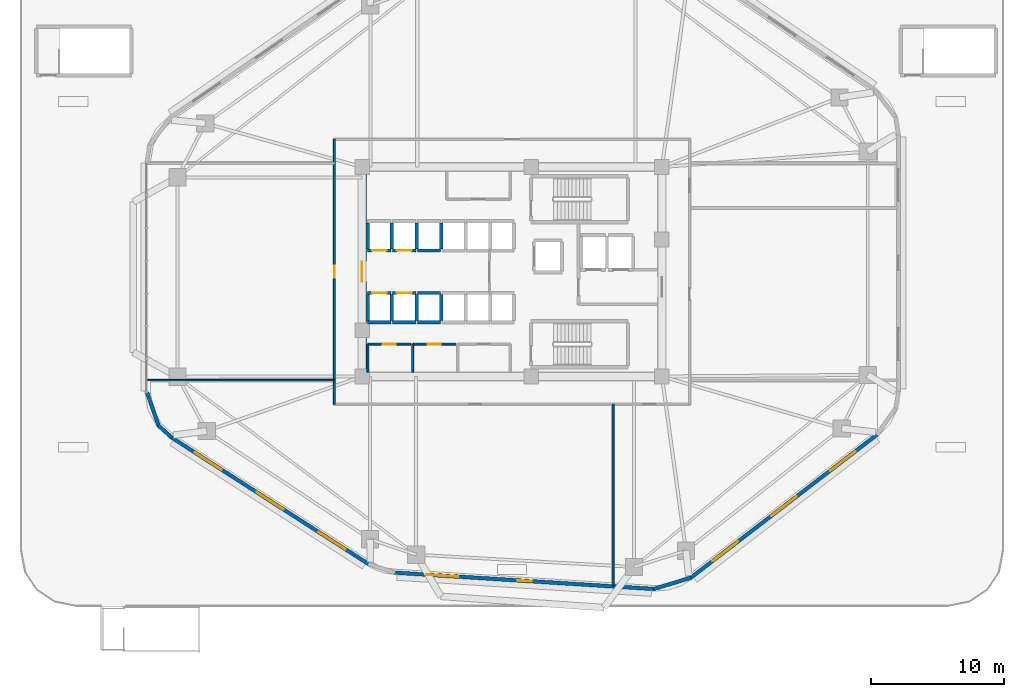
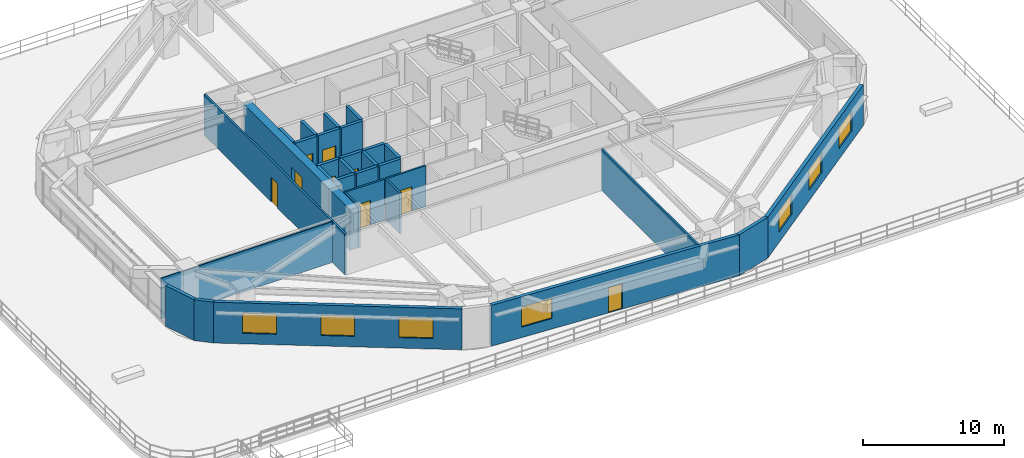
# One storey, part 14 of 20: 31 walls, 9 doors, 7 windows, 16 openings.
"""IFC4 building model written with IfcOpenShell, lengths in metres."""

import ifcopenshell
import ifcopenshell.guid

model = None  # the IFC model being written
_history = None  # IfcOwnerHistory: only IFC2X3 demands one
_inside = {}  # id of a spatial element -> (the spatial element, [elements in it])
_under = {}  # id of a project, library or spatial element -> (it, [spatial elements below it])
_declared = {}  # id of a project -> (the project, [libraries it declares])
_typed = {}  # id of a type object -> (the type object, [elements of that type])
_made_of = {}  # id of a material, layer set ... -> (it, [elements and type objects made of it])


def new_model(schema):
    """Start an empty IFC model of exactly this schema.

    Asked for "IFC4X3", IfcOpenShell would pick the latest addendum, in which some entities
    have other attributes; the version numbers below select the first issue.
    IFC2X3 requires an IfcOwnerHistory on every rooted entity: one is made here for all.
    """
    global model, _history
    if schema == "IFC4X3":
        model = ifcopenshell.file(schema_version=(4, 3, 0, 0))
    else:
        model = ifcopenshell.file(schema=schema)
    _inside.clear()
    _under.clear()
    _declared.clear()
    _typed.clear()
    _made_of.clear()
    _history = None
    if model.schema == "IFC2X3":
        org = make("IfcOrganization", Name="unknown")
        user = make(
            "IfcPersonAndOrganization",
            ThePerson=make("IfcPerson", FamilyName="unknown"),
            TheOrganization=org,
        )
        app = make(
            "IfcApplication",
            ApplicationDeveloper=org,
            Version="unknown",
            ApplicationFullName="unknown",
            ApplicationIdentifier="unknown",
        )
        _history = make(
            "IfcOwnerHistory",
            OwningUser=user,
            OwningApplication=app,
            ChangeAction="ADDED",
            CreationDate=0,
        )
    return model


def make(cls, **values):
    """One entity of the class cls with the attributes given. An attribute that is None is left unset."""
    return model.create_entity(
        cls, **{name: value for name, value in values.items() if value is not None}
    )


def rooted(cls, **values):
    """An entity with a GlobalId (a new one), such as an element, a storey or a relation."""
    return make(cls, GlobalId=ifcopenshell.guid.new(), OwnerHistory=_history, **values)


def si_unit(unit_type, name, prefix=None):
    """IfcSIUnit, for example si_unit("LENGTHUNIT", "METRE", prefix="MILLI")."""
    return make("IfcSIUnit", UnitType=unit_type, Prefix=prefix, Name=name)


def assignment(units):
    """IfcUnitAssignment: the units of a project."""
    return None if units is None else make("IfcUnitAssignment", Units=units)


def point(xyz):
    """IfcCartesianPoint."""
    return None if xyz is None else make("IfcCartesianPoint", Coordinates=xyz)


def direction(xyz):
    """IfcDirection."""
    return None if xyz is None else make("IfcDirection", DirectionRatios=xyz)


def frame(location, z_axis=None, x_axis=None):
    """IfcAxis2Placement3D, a coordinate frame: its origin and axes. An axis left out is left unset."""
    return make(
        "IfcAxis2Placement3D",
        Location=point(location),
        Axis=direction(z_axis),
        RefDirection=direction(x_axis),
    )


def frame_2d(location, x_axis=None):
    """IfcAxis2Placement2D, a coordinate frame in the plane: its origin and x axis."""
    return make(
        "IfcAxis2Placement2D", Location=point(location), RefDirection=direction(x_axis)
    )


def origin():
    """The frame at (0, 0, 0) with its axes left unset."""
    return frame((0.0, 0.0, 0.0))


def place(relative_to, where):
    """IfcLocalPlacement: puts the frame where relative to a parent placement (None: the world)."""
    return make(
        "IfcLocalPlacement", PlacementRelTo=relative_to, RelativePlacement=where
    )


def context(
    kind, dimensions, precision=None, world=None, true_north=None, identifier=None
):
    """IfcGeometricRepresentationContext, for example the 3D "Model" context."""
    return make(
        "IfcGeometricRepresentationContext",
        ContextIdentifier=identifier,
        ContextType=kind,
        CoordinateSpaceDimension=dimensions,
        Precision=precision,
        WorldCoordinateSystem=world,
        TrueNorth=true_north,
    )


def subcontext(parent, identifier, kind, view, scale=None):
    """IfcGeometricRepresentationSubContext, for example "Body" below "Model"."""
    return make(
        "IfcGeometricRepresentationSubContext",
        ContextIdentifier=identifier,
        ContextType=kind,
        ParentContext=parent,
        TargetScale=scale,
        TargetView=view,
    )


def project(units=None, contexts=None):
    """IfcProject with its units and contexts."""
    return rooted(
        "IfcProject",
        Name="project",
        RepresentationContexts=contexts,
        UnitsInContext=assignment(units),
    )


def spatial(cls, under=None, at=None, **own):
    """A site, building, storey or space (cls), placed at a placement, below another one or the project."""
    s = rooted(cls, ObjectPlacement=at, **own)
    if under is not None:
        _under.setdefault(under.id(), (under, []))[1].append(s)
    return s


def profile(cls, at=None, kind="AREA", **sizes):
    """A parametric profile (cls). Its sizes go by their IFC names, for example OverallWidth=200.0."""
    return make(cls, ProfileType=kind, Position=at, **sizes)


def rectangle(**sizes):
    """IfcRectangleProfileDef."""
    return profile("IfcRectangleProfileDef", **sizes)


def extrude(swept, where, along, depth):
    """IfcExtrudedAreaSolid: the profile swept, set in the frame where, extruded along a direction by depth."""
    return make(
        "IfcExtrudedAreaSolid",
        SweptArea=swept,
        Position=where,
        ExtrudedDirection=direction(along),
        Depth=depth,
    )


def shape(context_of_items, identifier, shape_type, items):
    """IfcShapeRepresentation: the items that make up one representation, for example the "Body"."""
    return make(
        "IfcShapeRepresentation",
        ContextOfItems=context_of_items,
        RepresentationIdentifier=identifier,
        RepresentationType=shape_type,
        Items=items,
    )


def material(Name=None, Category=None):
    """IfcMaterial."""
    return make("IfcMaterial", Name=Name, Category=Category)


def layer(
    of_material, thickness, ventilated=None, Name=None, Category=None, Priority=None
):
    """IfcMaterialLayer: one layer of a wall or slab, of a material (None: an air gap)."""
    return make(
        "IfcMaterialLayer",
        Material=of_material,
        LayerThickness=thickness,
        IsVentilated=ventilated,
        Name=Name,
        Category=Category,
        Priority=Priority,
    )


def layer_set(layers, Name=None):
    """IfcMaterialLayerSet."""
    return make("IfcMaterialLayerSet", MaterialLayers=layers, LayerSetName=Name)


def made_of(thing, what):
    """Note that an element or type object is made of a material, layer set ...; save() writes the relation."""
    if what is not None:
        _made_of.setdefault(what.id(), (what, []))[1].append(thing)
    return thing


def type_object(cls, material=None, **own):
    """A type object (cls), such as IfcWallType, which elements share."""
    return made_of(rooted(cls, **own), material)


def element(
    cls,
    number,
    at=None,
    inside=None,
    cuts=None,
    type_object=None,
    material=None,
    context=None,
    identifier="Body",
    shape_type=None,
    held_by="IfcProductDefinitionShape",
    body=None,
    shapes=None,
    **own,
):
    """One element of the class cls, such as IfcWall. Its Tag is "e" and its number.

    at: its placement. inside: the storey or other place that contains it. cuts: it is an
    opening in that element (IfcRelVoidsElement). A single representation is given by context,
    identifier, shape_type and body (its items); several are given by shapes. held_by: the class
    of the entity that holds the representations. save() writes the other relations.
    """
    e = rooted(cls, Tag="e%d" % number, ObjectPlacement=at, **own)
    if body is not None:
        shapes = [shape(context, identifier, shape_type, body)]
    if shapes is not None:
        e.Representation = make(held_by, Representations=shapes)
    if inside is not None:
        _inside.setdefault(inside.id(), (inside, []))[1].append(e)
    if cuts is not None:
        rooted(
            "IfcRelVoidsElement", RelatingBuildingElement=cuts, RelatedOpeningElement=e
        )
    if type_object is not None:
        _typed.setdefault(type_object.id(), (type_object, []))[1].append(e)
    return made_of(e, material)


def fill(opening, filler):
    """IfcRelFillsElement: the door or window that sits in an opening."""
    return rooted(
        "IfcRelFillsElement",
        RelatingOpeningElement=opening,
        RelatedBuildingElement=filler,
    )


def aggregate(whole, parts):
    """IfcRelAggregates: a whole, such as a stair, and the parts it consists of."""
    return rooted("IfcRelAggregates", RelatingObject=whole, RelatedObjects=parts)


def save(model, path):
    """Write the relations noted so far, then the file.

    IfcRelAggregates (storeys below a building ...), IfcRelContainedInSpatialStructure (elements
    in a storey), IfcRelDefinesByType, IfcRelAssociatesMaterial and IfcRelDeclares: one each for
    every whole, place, type object, material and project.
    """
    for whole, parts in _under.values():
        aggregate(whole, parts)
    for where, things in _inside.values():
        rooted(
            "IfcRelContainedInSpatialStructure",
            RelatedElements=things,
            RelatingStructure=where,
        )
    for kind, things in _typed.values():
        rooted("IfcRelDefinesByType", RelatedObjects=things, RelatingType=kind)
    for what, things in _made_of.values():
        rooted("IfcRelAssociatesMaterial", RelatedObjects=things, RelatingMaterial=what)
    for by, libraries in _declared.values():
        rooted("IfcRelDeclares", RelatingContext=by, RelatedDefinitions=libraries)
    model.write(path)


model = new_model("IFC4")

# Units and contexts
model_context = context("Model", 3, precision=1e-05, world=origin(), true_north=direction((0.0, 1.0)))
body_context = subcontext(model_context, "Body", "Model", "MODEL_VIEW")
ifc_project = project(units=[si_unit("LENGTHUNIT", "METRE"), si_unit("AREAUNIT", "SQUARE_METRE"), si_unit("VOLUMEUNIT", "CUBIC_METRE"), si_unit("PLANEANGLEUNIT", "RADIAN"), si_unit("MASSUNIT", "GRAM", prefix="KILO")], contexts=[model_context])

# Site, building, storey
site_placement = place(None, origin())
site = spatial("IfcSite", under=ifc_project, at=site_placement, CompositionType="ELEMENT")
building_placement = place(site_placement, origin())
building = spatial("IfcBuilding", under=site, at=building_placement, Name="Zulverin Broadcast Headquarters", CompositionType="ELEMENT")
storey_placement = place(building_placement, frame((0.0, 0.0, 25.0)))
storey = spatial("IfcBuildingStorey", under=building, at=storey_placement, Name="L05", CompositionType="ELEMENT", Elevation=25.0)

# Wall, opening, door
ifc_material_1 = material(Name="Concrete C60/75", Category="concrete")
ifc_layer_1 = layer(ifc_material_1, 0.64990234375, Name="Concrete C60/75", Category="concrete")
ifc_layer_set_1 = layer_set([ifc_layer_1], Name="Concrete C60/75")
wall_type_1 = type_object("IfcWallType", Name="WL-CORE-650", PredefinedType="SHEAR", material=ifc_layer_set_1)
wall_1_placement = place(storey_placement, frame((25.72509765625, 17.64990234375, 0.0), z_axis=(0.0, 0.0, 1.0), x_axis=(0.0, 1.0, 0.0)))
wall_1 = element("IfcWall", 1, at=wall_1_placement, inside=storey, type_object=wall_type_1, Name="L05 Core West Shear Wall", PredefinedType="SHEAR", context=body_context, shape_type="SweptSolid", body=[
    extrude(rectangle(XDim=15.10009765625, YDim=0.64990234375, at=frame_2d((7.550048828125, 0.0))), origin(), (0.0, 0.0, 1.0), 3.52490234375),
])
opening_1_placement = place(wall_1_placement, frame((6.800048828125, 0.0, 0.0)))
opening_1 = element("IfcOpeningElement", 2, at=opening_1_placement, cuts=wall_1, Name="Opening D-L05-CW1", PredefinedType="OPENING", context=body_context, shape_type="SweptSolid", body=[
    extrude(rectangle(XDim=1.5, YDim=2.14990234375, at=frame_2d((0.75, 1.074951171875))), frame((0.0, 0.3349609375, 0.0), z_axis=(0.0, -1.0, 0.0), x_axis=(1.0, 0.0, 0.0)), (0.0, 0.0, 1.0), 0.669921875),
])
ifc_material_2 = material(Name="Fire-rated glazed steel frame", Category="steel")
door_type_1 = type_object("IfcDoorType", Name="DR-COR-1500", OperationType="DOUBLE_DOOR_SINGLE_SWING", PredefinedType="DOOR", material=ifc_material_2)
door_1_placement = place(opening_1_placement, origin())
door_1 = element("IfcDoor", 3, at=door_1_placement, inside=storey, type_object=door_type_1, Name="L05 Central Lift Lobby West Portal Door", OperationType="DOUBLE_DOOR_SINGLE_SWING", OverallHeight=2.14990234375, OverallWidth=1.5, PredefinedType="DOOR", context=body_context, shape_type="SweptSolid", body=[
    extrude(rectangle(XDim=1.5, YDim=2.14990234375, at=frame_2d((0.75, 1.074951171875))), frame((0.0, 0.02490234375, 0.0), z_axis=(0.0, -1.0, 0.0), x_axis=(1.0, 0.0, 0.0)), (0.0, 0.0, 1.0), 0.050048828125),
])
fill(opening_1, door_1)

# Wall, openings, door, window
ifc_material_3 = material(Name="Insulated pale-metal clad concrete spandrel C40/50", Category="concrete")
ifc_layer_2 = layer(ifc_material_3, 0.280029296875, Name="Insulated pale-metal clad concrete spandrel C40/50", Category="concrete")
ifc_layer_set_2 = layer_set([ifc_layer_2], Name="Insulated pale-metal clad concrete spandrel C40/50")
wall_type_2 = type_object("IfcWallType", Name="WL-EXT-280", PredefinedType="STANDARD", material=ifc_layer_set_2)
wall_2_placement = place(storey_placement, frame((28.161376953125, 2.571044921875, 0.0), z_axis=(0.0, 0.0, 1.0), x_axis=(0.998017288298, -0.06294038654, 0.0)))
wall_2 = element("IfcWall", 4, at=wall_2_placement, inside=storey, type_object=wall_type_2, Name="L05 Pale-Metal Clad Spandrel Wall 1", PredefinedType="STANDARD", context=body_context, shape_type="SweptSolid", body=[
    extrude(rectangle(XDim=19.576904296875, YDim=0.280029296875, at=frame_2d((9.78857421875, 0.0))), origin(), (0.0, 0.0, 1.0), 3.52490234375),
])
opening_2_placement = place(wall_2_placement, frame((9.23828125, 0.0, 0.0)))
opening_2 = element("IfcOpeningElement", 5, at=opening_2_placement, cuts=wall_2, Name="Opening D-L05-TR1", PredefinedType="OPENING", context=body_context, shape_type="SweptSolid", body=[
    extrude(rectangle(XDim=1.10009765625, YDim=2.199951171875, at=frame_2d((0.550048828125, 1.10009765625))), frame((0.0, 0.14990234375, 0.0), z_axis=(0.0, -1.0, 0.0), x_axis=(1.0, 0.0, 0.0)), (0.0, 0.0, 1.0), 0.300048828125),
])
opening_3_placement = place(wall_2_placement, frame((2.396240234375, 0.0, 0.89990234375)))
opening_3 = element("IfcOpeningElement", 6, at=opening_3_placement, cuts=wall_2, Name="Opening W-L05-E11", PredefinedType="OPENING", context=body_context, shape_type="SweptSolid", body=[
    extrude(rectangle(XDim=2.39990234375, YDim=1.75, at=frame_2d((1.199951171875, 0.875))), frame((0.0, 0.14990234375, 0.0), z_axis=(0.0, -1.0, 0.0), x_axis=(1.0, 0.0, 0.0)), (0.0, 0.0, 1.0), 0.300048828125),
])
ifc_material_4 = material(Name="Thermally broken aluminium glazed", Category="aluminium")
door_type_2 = type_object("IfcDoorType", Name="DR-TERR-1100", OperationType="SINGLE_SWING_RIGHT", PredefinedType="DOOR", material=ifc_material_4)
door_2_placement = place(opening_2_placement, origin())
door_2 = element("IfcDoor", 7, at=door_2_placement, inside=storey, type_object=door_type_2, Name="L05 Planted Terrace Glazed Access Door 1", OperationType="SINGLE_SWING_RIGHT", OverallHeight=2.199951171875, OverallWidth=1.10009765625, PredefinedType="DOOR", context=body_context, shape_type="SweptSolid", body=[
    extrude(rectangle(XDim=1.10009765625, YDim=2.199951171875, at=frame_2d((0.550048828125, 1.10009765625))), frame((0.0, 0.02490234375, 0.0), z_axis=(0.0, -1.0, 0.0), x_axis=(1.0, 0.0, 0.0)), (0.0, 0.0, 1.0), 0.050048828125),
])
fill(opening_2, door_2)
ifc_material_5 = material(Name="Pale anodized aluminium frame with solar-control low-E double glazing", Category="aluminium")
window_type = type_object("IfcWindowType", Name="WIN-RIB-2400", PartitioningType="SINGLE_PANEL", PredefinedType="WINDOW", material=ifc_material_5)
window_1_placement = place(opening_3_placement, origin())
window_1 = element("IfcWindow", 8, at=window_1_placement, inside=storey, type_object=window_type, Name="L05 Ribbon Glazing Window 1 1", OverallHeight=1.75, OverallWidth=2.39990234375, PartitioningType="SINGLE_PANEL", PredefinedType="WINDOW", context=body_context, shape_type="SweptSolid", body=[
    extrude(rectangle(XDim=2.39990234375, YDim=1.75, at=frame_2d((1.199951171875, 0.875))), frame((0.0, 0.030029296875, 0.0), z_axis=(0.0, -1.0, 0.0), x_axis=(1.0, 0.0, 0.0)), (0.0, 0.0, 1.0), 0.06005859375),
])
fill(opening_3, window_1)

# Wall, openings, windows
wall_3_placement = place(storey_placement, frame((50.4287109375, 2.171630859375, 0.0), z_axis=(0.0, 0.0, 1.0), x_axis=(0.792937466367, 0.609303023488, 0.0)))
wall_3 = element("IfcWall", 9, at=wall_3_placement, inside=storey, type_object=wall_type_2, Name="L05 Pale-Metal Clad Spandrel Wall 2", PredefinedType="STANDARD", context=body_context, shape_type="SweptSolid", body=[
    extrude(rectangle(XDim=17.712890625, YDim=0.280029296875, at=frame_2d((8.8564453125, 0.0))), origin(), (0.0, 0.0, 1.0), 3.52490234375),
])
opening_4_placement = place(wall_3_placement, frame((2.08544921875, 0.0, 0.89990234375)))
opening_4 = element("IfcOpeningElement", 10, at=opening_4_placement, cuts=wall_3, Name="Opening W-L05-E21", PredefinedType="OPENING", context=body_context, shape_type="SweptSolid", body=[
    extrude(rectangle(XDim=2.39990234375, YDim=1.75, at=frame_2d((1.199951171875, 0.875))), frame((0.0, 0.14990234375, 0.0), z_axis=(0.0, -1.0, 0.0), x_axis=(1.0, 0.0, 0.0)), (0.0, 0.0, 1.0), 0.300048828125),
])
opening_5_placement = place(wall_3_placement, frame((7.656494140625, 0.0, 0.89990234375)))
opening_5 = element("IfcOpeningElement", 11, at=opening_5_placement, cuts=wall_3, Name="Opening W-L05-E22", PredefinedType="OPENING", context=body_context, shape_type="SweptSolid", body=[
    extrude(rectangle(XDim=2.39990234375, YDim=1.75, at=frame_2d((1.199951171875, 0.875))), frame((0.0, 0.14990234375, 0.0), z_axis=(0.0, -1.0, 0.0), x_axis=(1.0, 0.0, 0.0)), (0.0, 0.0, 1.0), 0.300048828125),
])
opening_6_placement = place(wall_3_placement, frame((13.227294921875, 0.0, 0.89990234375)))
opening_6 = element("IfcOpeningElement", 12, at=opening_6_placement, cuts=wall_3, Name="Opening W-L05-E23", PredefinedType="OPENING", context=body_context, shape_type="SweptSolid", body=[
    extrude(rectangle(XDim=2.39990234375, YDim=1.75, at=frame_2d((1.199951171875, 0.875))), frame((0.0, 0.14990234375, 0.0), z_axis=(0.0, -1.0, 0.0), x_axis=(1.0, 0.0, 0.0)), (0.0, 0.0, 1.0), 0.300048828125),
])
window_2_placement = place(opening_4_placement, origin())
window_2 = element("IfcWindow", 13, at=window_2_placement, inside=storey, type_object=window_type, Name="L05 Ribbon Glazing Window 2 1", OverallHeight=1.75, OverallWidth=2.39990234375, PartitioningType="SINGLE_PANEL", PredefinedType="WINDOW", context=body_context, shape_type="SweptSolid", body=[
    extrude(rectangle(XDim=2.39990234375, YDim=1.75, at=frame_2d((1.199951171875, 0.875))), frame((0.0, 0.030029296875, 0.0), z_axis=(0.0, -1.0, 0.0), x_axis=(1.0, 0.0, 0.0)), (0.0, 0.0, 1.0), 0.06005859375),
])
fill(opening_4, window_2)
window_3_placement = place(opening_5_placement, origin())
window_3 = element("IfcWindow", 14, at=window_3_placement, inside=storey, type_object=window_type, Name="L05 Ribbon Glazing Window 2 2", OverallHeight=1.75, OverallWidth=2.39990234375, PartitioningType="SINGLE_PANEL", PredefinedType="WINDOW", context=body_context, shape_type="SweptSolid", body=[
    extrude(rectangle(XDim=2.39990234375, YDim=1.75, at=frame_2d((1.199951171875, 0.875))), frame((0.0, 0.030029296875, 0.0), z_axis=(0.0, -1.0, 0.0), x_axis=(1.0, 0.0, 0.0)), (0.0, 0.0, 1.0), 0.06005859375),
])
fill(opening_5, window_3)
window_4_placement = place(opening_6_placement, origin())
window_4 = element("IfcWindow", 15, at=window_4_placement, inside=storey, type_object=window_type, Name="L05 Ribbon Glazing Window 2 3", OverallHeight=1.75, OverallWidth=2.39990234375, PartitioningType="SINGLE_PANEL", PredefinedType="WINDOW", context=body_context, shape_type="SweptSolid", body=[
    extrude(rectangle(XDim=2.39990234375, YDim=1.75, at=frame_2d((1.199951171875, 0.875))), frame((0.0, 0.030029296875, 0.0), z_axis=(0.0, -1.0, 0.0), x_axis=(1.0, 0.0, 0.0)), (0.0, 0.0, 1.0), 0.06005859375),
])
fill(opening_6, window_4)

wall_4_placement = place(storey_placement, frame((11.4052734375, 12.727783203125, 0.0), z_axis=(0.0, 0.0, 1.0), x_axis=(0.841304564637, -0.540561402175, 0.0)))
wall_4 = element("IfcWall", 16, at=wall_4_placement, inside=storey, type_object=wall_type_2, Name="L05 Pale-Metal Clad Spandrel Wall 8", PredefinedType="STANDARD", context=body_context, shape_type="SweptSolid", body=[
    extrude(rectangle(XDim=17.61181640625, YDim=0.280029296875, at=frame_2d((8.805908203125, 0.0))), origin(), (0.0, 0.0, 1.0), 3.52490234375),
])
opening_7_placement = place(wall_4_placement, frame((2.068603515625, 0.0, 0.89990234375)))
opening_7 = element("IfcOpeningElement", 17, at=opening_7_placement, cuts=wall_4, Name="Opening W-L05-E81", PredefinedType="OPENING", context=body_context, shape_type="SweptSolid", body=[
    extrude(rectangle(XDim=2.39990234375, YDim=1.75, at=frame_2d((1.199951171875, 0.875))), frame((0.0, 0.14990234375, 0.0), z_axis=(0.0, -1.0, 0.0), x_axis=(1.0, 0.0, 0.0)), (0.0, 0.0, 1.0), 0.300048828125),
])
opening_8_placement = place(wall_4_placement, frame((7.60595703125, 0.0, 0.89990234375)))
opening_8 = element("IfcOpeningElement", 18, at=opening_8_placement, cuts=wall_4, Name="Opening W-L05-E82", PredefinedType="OPENING", context=body_context, shape_type="SweptSolid", body=[
    extrude(rectangle(XDim=2.39990234375, YDim=1.75, at=frame_2d((1.199951171875, 0.875))), frame((0.0, 0.14990234375, 0.0), z_axis=(0.0, -1.0, 0.0), x_axis=(1.0, 0.0, 0.0)), (0.0, 0.0, 1.0), 0.300048828125),
])
opening_9_placement = place(wall_4_placement, frame((13.143310546875, 0.0, 0.89990234375)))
opening_9 = element("IfcOpeningElement", 19, at=opening_9_placement, cuts=wall_4, Name="Opening W-L05-E83", PredefinedType="OPENING", context=body_context, shape_type="SweptSolid", body=[
    extrude(rectangle(XDim=2.39990234375, YDim=1.75, at=frame_2d((1.199951171875, 0.875))), frame((0.0, 0.14990234375, 0.0), z_axis=(0.0, -1.0, 0.0), x_axis=(1.0, 0.0, 0.0)), (0.0, 0.0, 1.0), 0.300048828125),
])
window_5_placement = place(opening_7_placement, origin())
window_5 = element("IfcWindow", 20, at=window_5_placement, inside=storey, type_object=window_type, Name="L05 Ribbon Glazing Window 8 1", OverallHeight=1.75, OverallWidth=2.39990234375, PartitioningType="SINGLE_PANEL", PredefinedType="WINDOW", context=body_context, shape_type="SweptSolid", body=[
    extrude(rectangle(XDim=2.39990234375, YDim=1.75, at=frame_2d((1.199951171875, 0.875))), frame((0.0, 0.030029296875, 0.0), z_axis=(0.0, -1.0, 0.0), x_axis=(1.0, 0.0, 0.0)), (0.0, 0.0, 1.0), 0.06005859375),
])
fill(opening_7, window_5)
window_6_placement = place(opening_8_placement, origin())
window_6 = element("IfcWindow", 21, at=window_6_placement, inside=storey, type_object=window_type, Name="L05 Ribbon Glazing Window 8 2", OverallHeight=1.75, OverallWidth=2.39990234375, PartitioningType="SINGLE_PANEL", PredefinedType="WINDOW", context=body_context, shape_type="SweptSolid", body=[
    extrude(rectangle(XDim=2.39990234375, YDim=1.75, at=frame_2d((1.199951171875, 0.875))), frame((0.0, 0.030029296875, 0.0), z_axis=(0.0, -1.0, 0.0), x_axis=(1.0, 0.0, 0.0)), (0.0, 0.0, 1.0), 0.06005859375),
])
fill(opening_8, window_6)
window_7_placement = place(opening_9_placement, origin())
window_7 = element("IfcWindow", 22, at=window_7_placement, inside=storey, type_object=window_type, Name="L05 Ribbon Glazing Window 8 3", OverallHeight=1.75, OverallWidth=2.39990234375, PartitioningType="SINGLE_PANEL", PredefinedType="WINDOW", context=body_context, shape_type="SweptSolid", body=[
    extrude(rectangle(XDim=2.39990234375, YDim=1.75, at=frame_2d((1.199951171875, 0.875))), frame((0.0, 0.030029296875, 0.0), z_axis=(0.0, -1.0, 0.0), x_axis=(1.0, 0.0, 0.0)), (0.0, 0.0, 1.0), 0.06005859375),
])
fill(opening_9, window_7)

# Walls
wall_5_placement = place(storey_placement, frame((47.649658203125, 1.3330078125, 0.0), z_axis=(0.0, 0.0, 1.0), x_axis=(0.956461287977, 0.291859220516, 0.0)))
element("IfcWall", 23, at=wall_5_placement, inside=storey, type_object=wall_type_2, Name="L05 Wind-Shaped Corner Spandrel Wall 1-1", PredefinedType="STANDARD", context=body_context, shape_type="SweptSolid", body=[
    extrude(rectangle(XDim=2.951904296875, YDim=0.280029296875, at=frame_2d((1.47607421875, 0.0))), origin(), (0.0, 0.0, 1.0), 3.52490234375),
])
wall_6_placement = place(storey_placement, frame((9.5537109375, 16.1279296875, 0.0), z_axis=(0.0, 0.0, 1.0), x_axis=(0.327019907236, -0.945017449718, 0.0)))
element("IfcWall", 24, at=wall_6_placement, inside=storey, type_object=wall_type_2, Name="L05 Wind-Shaped Corner Spandrel Wall 7-1", PredefinedType="STANDARD", context=body_context, shape_type="SweptSolid", body=[
    extrude(rectangle(XDim=2.682373046875, YDim=0.280029296875, at=frame_2d((1.34130859375, 0.0))), origin(), (0.0, 0.0, 1.0), 3.52490234375),
])
wall_7_placement = place(storey_placement, frame((10.392822265625, 13.650634765625, 0.0), z_axis=(0.0, 0.0, 1.0), x_axis=(0.74003521851, -0.672568119498, 0.0)))
element("IfcWall", 25, at=wall_7_placement, inside=storey, type_object=wall_type_2, Name="L05 Wind-Shaped Corner Spandrel Wall 7-2", PredefinedType="STANDARD", context=body_context, shape_type="SweptSolid", body=[
    extrude(rectangle(XDim=1.39306640625, YDim=0.280029296875, at=frame_2d((0.696533203125, 0.0))), origin(), (0.0, 0.0, 1.0), 3.52490234375),
])
ifc_material_6 = material(Name="Fire-rated acoustic laminated glass screen", Category="glass")
ifc_layer_3 = layer(ifc_material_6, 0.10009765625, Name="Fire-rated acoustic laminated glass screen", Category="glass")
ifc_layer_set_3 = layer_set([ifc_layer_3], Name="Fire-rated acoustic laminated glass screen")
wall_type_3 = type_object("IfcWallType", Name="WL-GLAZ-100", PredefinedType="PARTITIONING", material=ifc_layer_set_3)
wall_8_placement = place(storey_placement, frame((9.60498046875, 17.050048828125, 0.0), z_axis=(0.0, 0.0, 1.0), x_axis=(1.0, 0.0, 0.0)))
element("IfcWall", 26, at=wall_8_placement, inside=storey, type_object=wall_type_3, Name="L05 Room Partition Wall RP-05", PredefinedType="PARTITIONING", context=body_context, shape_type="SweptSolid", body=[
    extrude(rectangle(XDim=14.044921875, YDim=0.10009765625, at=frame_2d((7.0224609375, 0.0))), origin(), (0.0, 0.0, 1.0), 3.52490234375),
])

# Wall, opening, door
ifc_material_7 = material(Name="Fire-rated gypsum stud partition", Category="gypsum")
ifc_layer_4 = layer(ifc_material_7, 0.14990234375, Name="Fire-rated gypsum stud partition", Category="gypsum")
ifc_layer_set_4 = layer_set([ifc_layer_4], Name="Fire-rated gypsum stud partition")
wall_type_4 = type_object("IfcWallType", Name="WL-PART-150", PredefinedType="PARTITIONING", material=ifc_layer_set_4)
wall_9_placement = place(storey_placement, frame((26.169921875, 19.75, 0.0), z_axis=(0.0, 0.0, 1.0), x_axis=(1.0, 0.0, 0.0)))
wall_9 = element("IfcWall", 27, at=wall_9_placement, inside=storey, type_object=wall_type_4, Name="L05 Core Male WC Front Wall", PredefinedType="PARTITIONING", context=body_context, shape_type="SweptSolid", body=[
    extrude(rectangle(XDim=3.2001953125, YDim=0.14990234375, at=frame_2d((1.60009765625, 0.0))), origin(), (0.0, 0.0, 1.0), 3.52490234375),
])
opening_10_placement = place(wall_9_placement, frame((1.125, 0.0, 0.0)))
opening_10 = element("IfcOpeningElement", 28, at=opening_10_placement, cuts=wall_9, Name="Opening D-L05-SC1", PredefinedType="OPENING", context=body_context, shape_type="SweptSolid", body=[
    extrude(rectangle(XDim=0.949951171875, YDim=2.10009765625, at=frame_2d((0.47509765625, 1.050048828125))), frame((0.0, 0.0849609375, 0.0), z_axis=(0.0, -1.0, 0.0), x_axis=(1.0, 0.0, 0.0)), (0.0, 0.0, 1.0), 0.169921875),
])
ifc_material_8 = material(Name="Fire-rated moisture-resistant laminate leaf", Category="wood")
door_type_3 = type_object("IfcDoorType", Name="DR-WC-950", OperationType="SINGLE_SWING_LEFT", PredefinedType="DOOR", material=ifc_material_8)
door_3_placement = place(opening_10_placement, origin())
door_3 = element("IfcDoor", 29, at=door_3_placement, inside=storey, type_object=door_type_3, Name="L05 Male WC Door", OperationType="SINGLE_SWING_RIGHT", OverallHeight=2.10009765625, OverallWidth=0.949951171875, PredefinedType="DOOR", context=body_context, shape_type="SweptSolid", body=[
    extrude(rectangle(XDim=0.949951171875, YDim=2.10009765625, at=frame_2d((0.47509765625, 1.050048828125))), frame((0.0, 0.02490234375, 0.0), z_axis=(0.0, -1.0, 0.0), x_axis=(1.0, 0.0, 0.0)), (0.0, 0.0, 1.0), 0.050048828125),
])
fill(opening_10, door_3)

# Wall
wall_10_placement = place(storey_placement, frame((26.169921875, 17.64990234375, 0.0), z_axis=(0.0, 0.0, 1.0), x_axis=(0.0, 1.0, 0.0)))
element("IfcWall", 30, at=wall_10_placement, inside=storey, type_object=wall_type_4, Name="L05 Core Male WC West Wall", PredefinedType="PARTITIONING", context=body_context, shape_type="SweptSolid", body=[
    extrude(rectangle(XDim=2.10009765625, YDim=0.14990234375, at=frame_2d((1.050048828125, 0.0))), origin(), (0.0, 0.0, 1.0), 3.52490234375),
])

# Wall, opening, door
wall_11_placement = place(storey_placement, frame((29.530029296875, 19.75, 0.0), z_axis=(0.0, 0.0, 1.0), x_axis=(1.0, 0.0, 0.0)))
wall_11 = element("IfcWall", 31, at=wall_11_placement, inside=storey, type_object=wall_type_4, Name="L05 Core Female WC Front Wall", PredefinedType="PARTITIONING", context=body_context, shape_type="SweptSolid", body=[
    extrude(rectangle(XDim=3.239990234375, YDim=0.14990234375, at=frame_2d((1.6201171875, 0.0))), origin(), (0.0, 0.0, 1.0), 3.52490234375),
])
opening_11_placement = place(wall_11_placement, frame((1.14501953125, 0.0, 0.0)))
opening_11 = element("IfcOpeningElement", 32, at=opening_11_placement, cuts=wall_11, Name="Opening D-L05-SC2", PredefinedType="OPENING", context=body_context, shape_type="SweptSolid", body=[
    extrude(rectangle(XDim=0.949951171875, YDim=2.10009765625, at=frame_2d((0.47509765625, 1.050048828125))), frame((0.0, 0.0849609375, 0.0), z_axis=(0.0, -1.0, 0.0), x_axis=(1.0, 0.0, 0.0)), (0.0, 0.0, 1.0), 0.169921875),
])
door_4_placement = place(opening_11_placement, origin())
door_4 = element("IfcDoor", 33, at=door_4_placement, inside=storey, type_object=door_type_3, Name="L05 Female WC Door", OperationType="SINGLE_SWING_LEFT", OverallHeight=2.10009765625, OverallWidth=0.949951171875, PredefinedType="DOOR", context=body_context, shape_type="SweptSolid", body=[
    extrude(rectangle(XDim=0.949951171875, YDim=2.10009765625, at=frame_2d((0.47509765625, 1.050048828125))), frame((0.0, 0.02490234375, 0.0), z_axis=(0.0, -1.0, 0.0), x_axis=(1.0, 0.0, 0.0)), (0.0, 0.0, 1.0), 0.050048828125),
])
fill(opening_11, door_4)

# Walls
wall_12_placement = place(storey_placement, frame((29.530029296875, 17.64990234375, 0.0), z_axis=(0.0, 0.0, 1.0), x_axis=(0.0, 1.0, 0.0)))
element("IfcWall", 34, at=wall_12_placement, inside=storey, type_object=wall_type_4, Name="L05 Core Female WC West Wall", PredefinedType="PARTITIONING", context=body_context, shape_type="SweptSolid", body=[
    extrude(rectangle(XDim=2.10009765625, YDim=0.14990234375, at=frame_2d((1.050048828125, 0.0))), origin(), (0.0, 0.0, 1.0), 3.52490234375),
])
wall_13_placement = place(storey_placement, frame((44.60009765625, 1.59912109375, 0.0), z_axis=(0.0, 0.0, 1.0), x_axis=(0.0, 1.0, 0.0)))
element("IfcWall", 35, at=wall_13_placement, inside=storey, type_object=wall_type_4, Name="L05 Room Partition Wall RP-02", PredefinedType="PARTITIONING", context=body_context, shape_type="SweptSolid", body=[
    extrude(rectangle(XDim=13.65087890625, YDim=0.14990234375, at=frame_2d((6.825439453125, 0.0))), origin(), (0.0, 0.0, 1.0), 3.52490234375),
])

# Wall, opening, door
wall_14_placement = place(storey_placement, frame((23.64990234375, 15.25, 0.0), z_axis=(0.0, 0.0, 1.0), x_axis=(0.0, 1.0, 0.0)))
wall_14 = element("IfcWall", 36, at=wall_14_placement, inside=storey, type_object=wall_type_4, Name="L05 Gallery Partition Wall CG-03", PredefinedType="PARTITIONING", context=body_context, shape_type="SweptSolid", body=[
    extrude(rectangle(XDim=19.89990234375, YDim=0.14990234375, at=frame_2d((9.949951171875, 0.0))), origin(), (0.0, 0.0, 1.0), 3.52490234375),
])
opening_12_placement = place(wall_14_placement, frame((9.5, 0.0, 0.0)))
opening_12 = element("IfcOpeningElement", 37, at=opening_12_placement, cuts=wall_14, Name="Opening D-L05-04", PredefinedType="OPENING", context=body_context, shape_type="SweptSolid", body=[
    extrude(rectangle(XDim=0.89990234375, YDim=2.10009765625, at=frame_2d((0.449951171875, 1.050048828125))), frame((0.0, 0.0849609375, 0.0), z_axis=(0.0, -1.0, 0.0), x_axis=(1.0, 0.0, 0.0)), (0.0, 0.0, 1.0), 0.169921875),
])
ifc_material_9 = material(Name="Fire-rated hardwood veneer timber leaf", Category="wood")
door_type_4 = type_object("IfcDoorType", Name="DR-ROOM-900", OperationType="SINGLE_SWING_RIGHT", PredefinedType="DOOR", material=ifc_material_9)
door_5_placement = place(opening_12_placement, origin())
door_5 = element("IfcDoor", 38, at=door_5_placement, inside=storey, type_object=door_type_4, Name="L05 Media Library Gallery Door", OperationType="SINGLE_SWING_LEFT", OverallHeight=2.10009765625, OverallWidth=0.89990234375, PredefinedType="DOOR", context=body_context, shape_type="SweptSolid", body=[
    extrude(rectangle(XDim=0.89990234375, YDim=2.10009765625, at=frame_2d((0.449951171875, 1.050048828125))), frame((0.0, 0.02490234375, 0.0), z_axis=(0.0, -1.0, 0.0), x_axis=(1.0, 0.0, 0.0)), (0.0, 0.0, 1.0), 0.050048828125),
])
fill(opening_12, door_5)

ifc_material_10 = material(Name="Concrete C50/60", Category="concrete")
ifc_layer_5 = layer(ifc_material_10, 0.25, Name="Concrete C50/60", Category="concrete")
ifc_layer_set_5 = layer_set([ifc_layer_5], Name="Concrete C50/60")
wall_type_5 = type_object("IfcWallType", Name="WL-SHAFT-250", PredefinedType="SHEAR", material=ifc_layer_set_5)
wall_15_placement = place(storey_placement, frame((26.14990234375, 26.800048828125, 0.0), z_axis=(0.0, 0.0, 1.0), x_axis=(1.0, 0.0, 0.0)))
wall_15 = element("IfcWall", 39, at=wall_15_placement, inside=storey, type_object=wall_type_5, Name="L05 Lift PL-L1 Shaft Wall S", PredefinedType="SHEAR", context=body_context, shape_type="SweptSolid", body=[
    extrude(rectangle(XDim=1.75, YDim=0.25, at=frame_2d((0.875, 0.0))), origin(), (0.0, 0.0, 1.0), 3.52490234375),
])
opening_13_placement = place(wall_15_placement, frame((0.324951171875, 0.0, 0.0)))
opening_13 = element("IfcOpeningElement", 40, at=opening_13_placement, cuts=wall_15, Name="Opening LD-PL-L1-L05", PredefinedType="OPENING", context=body_context, shape_type="SweptSolid", body=[
    extrude(rectangle(XDim=1.10009765625, YDim=2.14990234375, at=frame_2d((0.550048828125, 1.074951171875))), frame((0.0, 0.135009765625, 0.0), z_axis=(0.0, -1.0, 0.0), x_axis=(1.0, 0.0, 0.0)), (0.0, 0.0, 1.0), 0.27001953125),
])
ifc_material_11 = material(Name="Brushed stainless steel landing", Category="steel")
door_type_5 = type_object("IfcDoorType", Name="LD-PASS-1100", OperationType="DOUBLE_DOOR_SLIDING", PredefinedType="DOOR", material=ifc_material_11)
door_6_placement = place(opening_13_placement, origin())
door_6 = element("IfcDoor", 41, at=door_6_placement, inside=storey, type_object=door_type_5, Name="L05 Lift PL-L1 Sliding Landing Door", OperationType="DOUBLE_DOOR_SLIDING", OverallHeight=2.14990234375, OverallWidth=1.10009765625, PredefinedType="DOOR", context=body_context, shape_type="SweptSolid", body=[
    extrude(rectangle(XDim=1.10009765625, YDim=2.14990234375, at=frame_2d((0.550048828125, 1.074951171875))), frame((0.0, 0.02490234375, 0.0), z_axis=(0.0, -1.0, 0.0), x_axis=(1.0, 0.0, 0.0)), (0.0, 0.0, 1.0), 0.050048828125),
])
fill(opening_13, door_6)

# Walls
for number, where, z_axis, x_axis, name in (
    (42, (26.14990234375, 26.919921875, 0.0), (0.0, 0.0, 1.0), (0.0, 1.0, 0.0), "L05 Lift PL-L1 Shaft Wall W"),
    (43, (27.9599609375, 26.919921875, 0.0), (0.0, 0.0, 1.0), (0.0, 1.0, 0.0), "L05 Lift PL-L1 Shaft Wall E"),
):
    element("IfcWall", number, at=place(storey_placement, frame(where, z_axis=z_axis, x_axis=x_axis)), inside=storey, type_object=wall_type_5, Name=name, PredefinedType="SHEAR", context=body_context, shape_type="SweptSolid", body=[
        extrude(rectangle(XDim=1.9599609375, YDim=0.25, at=frame_2d((0.97998046875, 0.0))), origin(), (0.0, 0.0, 1.0), 3.52490234375),
    ])

# Wall, opening, door
wall_16_placement = place(storey_placement, frame((28.02001953125, 26.800048828125, 0.0), z_axis=(0.0, 0.0, 1.0), x_axis=(1.0, 0.0, 0.0)))
wall_16 = element("IfcWall", 44, at=wall_16_placement, inside=storey, type_object=wall_type_5, Name="L05 Lift PL-L2 Shaft Wall S", PredefinedType="SHEAR", context=body_context, shape_type="SweptSolid", body=[
    extrude(rectangle(XDim=1.75, YDim=0.25, at=frame_2d((0.875, 0.0))), origin(), (0.0, 0.0, 1.0), 3.52490234375),
])
opening_14_placement = place(wall_16_placement, frame((0.324951171875, 0.0, 0.0)))
opening_14 = element("IfcOpeningElement", 45, at=opening_14_placement, cuts=wall_16, Name="Opening LD-PL-L2-L05", PredefinedType="OPENING", context=body_context, shape_type="SweptSolid", body=[
    extrude(rectangle(XDim=1.10009765625, YDim=2.14990234375, at=frame_2d((0.550048828125, 1.074951171875))), frame((0.0, 0.135009765625, 0.0), z_axis=(0.0, -1.0, 0.0), x_axis=(1.0, 0.0, 0.0)), (0.0, 0.0, 1.0), 0.27001953125),
])
door_7_placement = place(opening_14_placement, origin())
door_7 = element("IfcDoor", 46, at=door_7_placement, inside=storey, type_object=door_type_5, Name="L05 Lift PL-L2 Sliding Landing Door", OperationType="DOUBLE_DOOR_SLIDING", OverallHeight=2.14990234375, OverallWidth=1.10009765625, PredefinedType="DOOR", context=body_context, shape_type="SweptSolid", body=[
    extrude(rectangle(XDim=1.10009765625, YDim=2.14990234375, at=frame_2d((0.550048828125, 1.074951171875))), frame((0.0, 0.02490234375, 0.0), z_axis=(0.0, -1.0, 0.0), x_axis=(1.0, 0.0, 0.0)), (0.0, 0.0, 1.0), 0.050048828125),
])
fill(opening_14, door_7)

# Walls
wall_17_placement = place(storey_placement, frame((29.8349609375, 26.919921875, 0.0), z_axis=(0.0, 0.0, 1.0), x_axis=(0.0, 1.0, 0.0)))
element("IfcWall", 47, at=wall_17_placement, inside=storey, type_object=wall_type_5, Name="L05 Lift PL-L2 Shaft Wall E", PredefinedType="SHEAR", context=body_context, shape_type="SweptSolid", body=[
    extrude(rectangle(XDim=1.9599609375, YDim=0.25, at=frame_2d((0.97998046875, 0.0))), origin(), (0.0, 0.0, 1.0), 3.52490234375),
])
wall_18_placement = place(storey_placement, frame((26.14990234375, 21.39990234375, 0.0), z_axis=(0.0, 0.0, 1.0), x_axis=(1.0, 0.0, 0.0)))
element("IfcWall", 48, at=wall_18_placement, inside=storey, type_object=wall_type_5, Name="L05 Lift PL-L3 Shaft Wall S", PredefinedType="SHEAR", context=body_context, shape_type="SweptSolid", body=[
    extrude(rectangle(XDim=1.75, YDim=0.25, at=frame_2d((0.875, 0.0))), origin(), (0.0, 0.0, 1.0), 3.52490234375),
])

# Wall, opening, door
wall_19_placement = place(storey_placement, frame((26.14990234375, 23.60009765625, 0.0), z_axis=(0.0, 0.0, 1.0), x_axis=(1.0, 0.0, 0.0)))
wall_19 = element("IfcWall", 49, at=wall_19_placement, inside=storey, type_object=wall_type_5, Name="L05 Lift PL-L3 Shaft Wall N", PredefinedType="SHEAR", context=body_context, shape_type="SweptSolid", body=[
    extrude(rectangle(XDim=1.75, YDim=0.25, at=frame_2d((0.875, 0.0))), origin(), (0.0, 0.0, 1.0), 3.52490234375),
])
opening_15_placement = place(wall_19_placement, frame((0.324951171875, 0.0, 0.0)))
opening_15 = element("IfcOpeningElement", 50, at=opening_15_placement, cuts=wall_19, Name="Opening LD-PL-L3-L05", PredefinedType="OPENING", context=body_context, shape_type="SweptSolid", body=[
    extrude(rectangle(XDim=1.10009765625, YDim=2.14990234375, at=frame_2d((0.550048828125, 1.074951171875))), frame((0.0, 0.135009765625, 0.0), z_axis=(0.0, -1.0, 0.0), x_axis=(1.0, 0.0, 0.0)), (0.0, 0.0, 1.0), 0.27001953125),
])
door_8_placement = place(opening_15_placement, origin())
door_8 = element("IfcDoor", 51, at=door_8_placement, inside=storey, type_object=door_type_5, Name="L05 Lift PL-L3 Sliding Landing Door", OperationType="DOUBLE_DOOR_SLIDING", OverallHeight=2.14990234375, OverallWidth=1.10009765625, PredefinedType="DOOR", context=body_context, shape_type="SweptSolid", body=[
    extrude(rectangle(XDim=1.10009765625, YDim=2.14990234375, at=frame_2d((0.550048828125, 1.074951171875))), frame((0.0, 0.02490234375, 0.0), z_axis=(0.0, -1.0, 0.0), x_axis=(1.0, 0.0, 0.0)), (0.0, 0.0, 1.0), 0.050048828125),
])
fill(opening_15, door_8)

# Walls
for number, where, z_axis, x_axis, name in (
    (52, (26.14990234375, 21.52001953125, 0.0), (0.0, 0.0, 1.0), (0.0, 1.0, 0.0), "L05 Lift PL-L3 Shaft Wall W"),
    (53, (27.9599609375, 21.52001953125, 0.0), (0.0, 0.0, 1.0), (0.0, 1.0, 0.0), "L05 Lift PL-L3 Shaft Wall E"),
):
    element("IfcWall", number, at=place(storey_placement, frame(where, z_axis=z_axis, x_axis=x_axis)), inside=storey, type_object=wall_type_5, Name=name, PredefinedType="SHEAR", context=body_context, shape_type="SweptSolid", body=[
        extrude(rectangle(XDim=1.9599609375, YDim=0.25, at=frame_2d((0.97998046875, 0.0))), origin(), (0.0, 0.0, 1.0), 3.52490234375),
    ])
wall_20_placement = place(storey_placement, frame((28.02001953125, 21.39990234375, 0.0), z_axis=(0.0, 0.0, 1.0), x_axis=(1.0, 0.0, 0.0)))
element("IfcWall", 54, at=wall_20_placement, inside=storey, type_object=wall_type_5, Name="L05 Lift PL-L4 Shaft Wall S", PredefinedType="SHEAR", context=body_context, shape_type="SweptSolid", body=[
    extrude(rectangle(XDim=1.75, YDim=0.25, at=frame_2d((0.875, 0.0))), origin(), (0.0, 0.0, 1.0), 3.52490234375),
])

# Wall, opening, door
wall_21_placement = place(storey_placement, frame((28.02001953125, 23.60009765625, 0.0), z_axis=(0.0, 0.0, 1.0), x_axis=(1.0, 0.0, 0.0)))
wall_21 = element("IfcWall", 55, at=wall_21_placement, inside=storey, type_object=wall_type_5, Name="L05 Lift PL-L4 Shaft Wall N", PredefinedType="SHEAR", context=body_context, shape_type="SweptSolid", body=[
    extrude(rectangle(XDim=1.75, YDim=0.25, at=frame_2d((0.875, 0.0))), origin(), (0.0, 0.0, 1.0), 3.52490234375),
])
opening_16_placement = place(wall_21_placement, frame((0.324951171875, 0.0, 0.0)))
opening_16 = element("IfcOpeningElement", 56, at=opening_16_placement, cuts=wall_21, Name="Opening LD-PL-L4-L05", PredefinedType="OPENING", context=body_context, shape_type="SweptSolid", body=[
    extrude(rectangle(XDim=1.10009765625, YDim=2.14990234375, at=frame_2d((0.550048828125, 1.074951171875))), frame((0.0, 0.135009765625, 0.0), z_axis=(0.0, -1.0, 0.0), x_axis=(1.0, 0.0, 0.0)), (0.0, 0.0, 1.0), 0.27001953125),
])
door_9_placement = place(opening_16_placement, origin())
door_9 = element("IfcDoor", 57, at=door_9_placement, inside=storey, type_object=door_type_5, Name="L05 Lift PL-L4 Sliding Landing Door", OperationType="DOUBLE_DOOR_SLIDING", OverallHeight=2.14990234375, OverallWidth=1.10009765625, PredefinedType="DOOR", context=body_context, shape_type="SweptSolid", body=[
    extrude(rectangle(XDim=1.10009765625, YDim=2.14990234375, at=frame_2d((0.550048828125, 1.074951171875))), frame((0.0, 0.02490234375, 0.0), z_axis=(0.0, -1.0, 0.0), x_axis=(1.0, 0.0, 0.0)), (0.0, 0.0, 1.0), 0.050048828125),
])
fill(opening_16, door_9)

# Walls
wall_22_placement = place(storey_placement, frame((29.8349609375, 21.52001953125, 0.0), z_axis=(0.0, 0.0, 1.0), x_axis=(0.0, 1.0, 0.0)))
element("IfcWall", 58, at=wall_22_placement, inside=storey, type_object=wall_type_5, Name="L05 Lift PL-L4 Shaft Wall E", PredefinedType="SHEAR", context=body_context, shape_type="SweptSolid", body=[
    extrude(rectangle(XDim=1.9599609375, YDim=0.25, at=frame_2d((0.97998046875, 0.0))), origin(), (0.0, 0.0, 1.0), 3.52490234375),
])
for number, where, z_axis, x_axis, name in (
    (59, (29.89990234375, 21.39990234375, 0.0), (0.0, 0.0, 1.0), (1.0, 0.0, 0.0), "L05 Lift PL-M1 Shaft Wall S"),
    (60, (29.89990234375, 23.60009765625, 0.0), (0.0, 0.0, 1.0), (1.0, 0.0, 0.0), "L05 Lift PL-M1 Shaft Wall N"),
):
    element("IfcWall", number, at=place(storey_placement, frame(where, z_axis=z_axis, x_axis=x_axis)), inside=storey, type_object=wall_type_5, Name=name, PredefinedType="SHEAR", context=body_context, shape_type="SweptSolid", body=[
        extrude(rectangle(XDim=1.72021484375, YDim=0.25, at=frame_2d((0.860107421875, 0.0))), origin(), (0.0, 0.0, 1.0), 3.52490234375),
    ])
wall_23_placement = place(storey_placement, frame((31.679931640625, 21.52001953125, 0.0), z_axis=(0.0, 0.0, 1.0), x_axis=(0.0, 1.0, 0.0)))
element("IfcWall", 61, at=wall_23_placement, inside=storey, type_object=wall_type_5, Name="L05 Lift PL-M1 Shaft Wall E", PredefinedType="SHEAR", context=body_context, shape_type="SweptSolid", body=[
    extrude(rectangle(XDim=1.9599609375, YDim=0.25, at=frame_2d((0.97998046875, 0.0))), origin(), (0.0, 0.0, 1.0), 3.52490234375),
])
wall_24_placement = place(storey_placement, frame((29.89990234375, 26.800048828125, 0.0), z_axis=(0.0, 0.0, 1.0), x_axis=(1.0, 0.0, 0.0)))
element("IfcWall", 62, at=wall_24_placement, inside=storey, type_object=wall_type_5, Name="L05 Lift PL-H1 Shaft Wall S", PredefinedType="SHEAR", context=body_context, shape_type="SweptSolid", body=[
    extrude(rectangle(XDim=1.72021484375, YDim=0.25, at=frame_2d((0.860107421875, 0.0))), origin(), (0.0, 0.0, 1.0), 3.52490234375),
])
wall_25_placement = place(storey_placement, frame((31.679931640625, 26.919921875, 0.0), z_axis=(0.0, 0.0, 1.0), x_axis=(0.0, 1.0, 0.0)))
element("IfcWall", 63, at=wall_25_placement, inside=storey, type_object=wall_type_5, Name="L05 Lift PL-H1 Shaft Wall E", PredefinedType="SHEAR", context=body_context, shape_type="SweptSolid", body=[
    extrude(rectangle(XDim=1.9599609375, YDim=0.25, at=frame_2d((0.97998046875, 0.0))), origin(), (0.0, 0.0, 1.0), 3.52490234375),
])

save(model, "model.ifc")
